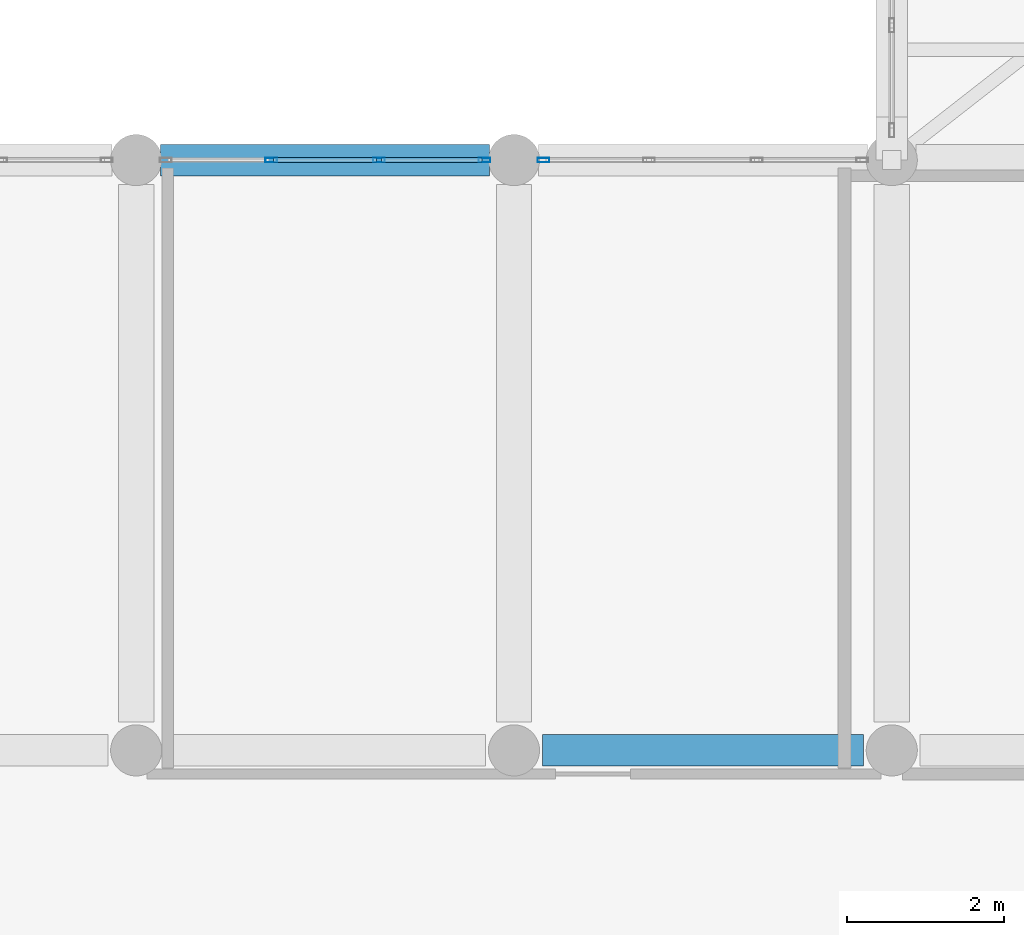
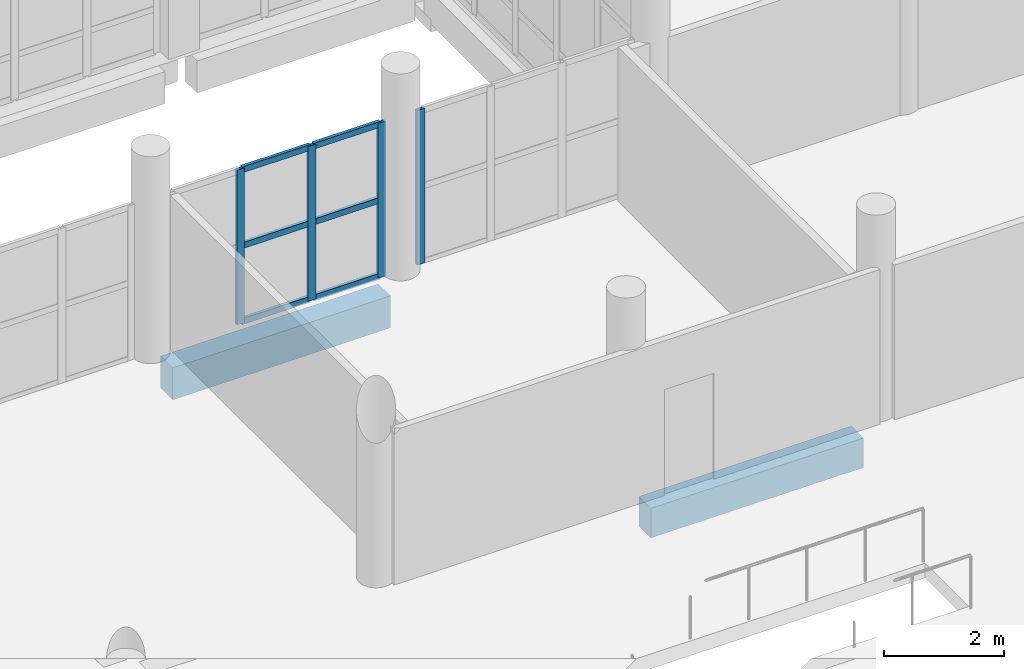
# One storey, part 83 of 164: 10 members, 2 beams, 2 elements without a shape of their own.
"""IFC4 building model written with IfcOpenShell, lengths in metres."""

from ifc_helpers import new_model, si_unit, direction, frame, origin, origin_2d, place, context, subcontext, project, spatial, rectangle, hollow_rectangle, extrude, material, layer, layer_set, material_profile, profile_set, type_object, element, aggregate, save


model = new_model("IFC4")

# Units and contexts
model_context = context("Model", 3, precision=1e-05, world=origin(), true_north=direction((0.0, 1.0)))
body_context = subcontext(model_context, "Body", "Model", "MODEL_VIEW")
ifc_project = project(units=[si_unit("LENGTHUNIT", "METRE"), si_unit("AREAUNIT", "SQUARE_METRE"), si_unit("VOLUMEUNIT", "CUBIC_METRE"), si_unit("PLANEANGLEUNIT", "RADIAN"), si_unit("MASSUNIT", "GRAM", prefix="KILO")], contexts=[model_context])

# Site, building, storey
site_placement = place(None, origin())
site = spatial("IfcSite", under=ifc_project, at=site_placement, CompositionType="ELEMENT")
building_placement = place(site_placement, origin())
building = spatial("IfcBuilding", under=site, at=building_placement, Name="Mawjan Specialist Oncology Clinic", CompositionType="ELEMENT")
storey_placement = place(building_placement, frame((0.0, 0.0, 5.0)))
storey = spatial("IfcBuildingStorey", under=building, at=storey_placement, Name="L01", CompositionType="ELEMENT", Elevation=5.0)

# Beam
ifc_material_1 = material(Name="Concrete C40/50", Category="concrete")
ifc_material_profile_1 = material_profile(ifc_material_1, rectangle(XDim=0.39990234375, YDim=0.60009765625, at=origin_2d()), Name="RC BM 400x600", Category="concrete")
ifc_profile_set_1 = profile_set([ifc_material_profile_1], Name="Concrete C40/50")
beam_type_1 = type_object("IfcBeamType", Name="BM-400x600", PredefinedType="BEAM", material=ifc_profile_set_1)
beam_1_placement = place(storey_placement, frame((79.56005859375, 68.300048828125, -0.60009765625), z_axis=(1.0, 0.0, 0.0), x_axis=(0.0, 1.0, 0.0)))
element("IfcBeam", 1, at=beam_1_placement, inside=storey, type_object=beam_type_1, Name="L01 Collector Beam BM-L01-0313", PredefinedType="BEAM", context=body_context, shape_type="SweptSolid", body=[
    extrude(rectangle(XDim=0.39990234375, YDim=0.60009765625, at=origin_2d()), origin(), (0.0, 0.0, 1.0), 4.079833984375),
])

# Curtain wall, members
ifc_material_2 = material(Name="Unitised spectrally selective aluminium curtain wall", Category="aluminium")
ifc_layer = layer(ifc_material_2, 0.179931640625, Name="Unitised spectrally selective aluminium curtain wall", Category="aluminium")
ifc_layer_set = layer_set([ifc_layer], Name="Unitised spectrally selective aluminium curtain wall")
curtain_wall_type = type_object("IfcCurtainWallType", Name="CW-56", PredefinedType="NOTDEFINED", material=ifc_layer_set)
curtain_wall_1_placement = place(storey_placement, origin())
curtain_wall_1 = element("IfcCurtainWall", 2, at=curtain_wall_1_placement, inside=storey, type_object=curtain_wall_type, Name="L01 Unitised Curtain Wall CW-L01-106", PredefinedType="NOTDEFINED")
ifc_material_3 = material(Name="Thermally broken aluminium 6063-T6", Category="aluminium")
ifc_material_profile_2 = material_profile(ifc_material_3, hollow_rectangle(XDim=0.06005859375, YDim=0.14990234375, WallThickness=0.00390625, at=origin_2d()), Name="ALU MULLION 150x60x4", Category="aluminium")
ifc_profile_set_2 = profile_set([ifc_material_profile_2], Name="Thermally broken aluminium 6063-T6")
member_type_1 = type_object("IfcMemberType", Name="CW-M150", PredefinedType="MULLION", material=ifc_profile_set_2)
member_1_placement = place(storey_placement, frame((76.114990234375, 75.800048828125, 0.0), z_axis=(0.0, 0.0, 1.0), x_axis=(0.0, 1.0, 0.0)))
member_1 = element("IfcMember", 3, at=member_1_placement, type_object=member_type_1, Name="CW-56 mullion 2", PredefinedType="MULLION", context=body_context, shape_type="SweptSolid", body=[
    extrude(hollow_rectangle(XDim=0.06005859375, YDim=0.14990234375, WallThickness=0.00390625, at=origin_2d()), origin(), (0.0, 0.0, 1.0), 3.139892578125),
])
member_2_placement = place(storey_placement, frame((77.485107421875, 75.800048828125, 0.0), z_axis=(0.0, 0.0, 1.0), x_axis=(0.0, 1.0, 0.0)))
member_2 = element("IfcMember", 4, at=member_2_placement, type_object=member_type_1, Name="CW-56 mullion 3", PredefinedType="MULLION", context=body_context, shape_type="SweptSolid", body=[
    extrude(hollow_rectangle(XDim=0.06005859375, YDim=0.14990234375, WallThickness=0.00390625, at=origin_2d()), origin(), (0.0, 0.0, 1.0), 3.139892578125),
])
member_3_placement = place(storey_placement, frame((78.824951171875, 75.800048828125, 0.0), z_axis=(0.0, 0.0, 1.0), x_axis=(0.0, 1.0, 0.0)))
member_3 = element("IfcMember", 5, at=member_3_placement, type_object=member_type_1, Name="CW-56 mullion 4", PredefinedType="MULLION", context=body_context, shape_type="SweptSolid", body=[
    extrude(hollow_rectangle(XDim=0.06005859375, YDim=0.14990234375, WallThickness=0.00390625, at=origin_2d()), origin(), (0.0, 0.0, 1.0), 3.139892578125),
])

# Curtain wall, member
curtain_wall_2_placement = place(storey_placement, origin())
curtain_wall_2 = element("IfcCurtainWall", 6, at=curtain_wall_2_placement, inside=storey, type_object=curtain_wall_type, Name="L01 Unitised Curtain Wall CW-L01-107", PredefinedType="NOTDEFINED")
member_4_placement = place(storey_placement, frame((79.574951171875, 75.800048828125, 0.0), z_axis=(0.0, 0.0, 1.0), x_axis=(0.0, 1.0, 0.0)))
member_4 = element("IfcMember", 7, at=member_4_placement, type_object=member_type_1, Name="CW-56 mullion 1", PredefinedType="MULLION", context=body_context, shape_type="SweptSolid", body=[
    extrude(hollow_rectangle(XDim=0.06005859375, YDim=0.14990234375, WallThickness=0.00390625, at=origin_2d()), origin(), (0.0, 0.0, 1.0), 3.139892578125),
])
aggregate(curtain_wall_2, [member_4])

# Member
ifc_material_4 = material(Name="Thermally broken aluminium 6063-T6", Category="aluminium")
ifc_material_profile_3 = material_profile(ifc_material_4, hollow_rectangle(XDim=0.06005859375, YDim=0.1201171875, WallThickness=0.00390625, at=origin_2d()), Name="ALU TRANSOM 120x60x4", Category="aluminium")
ifc_profile_set_3 = profile_set([ifc_material_profile_3], Name="Thermally broken aluminium 6063-T6")
member_type_2 = type_object("IfcMemberType", Name="CW-T120", PredefinedType="USERDEFINED", material=ifc_profile_set_3)
member_5_placement = place(storey_placement, frame((76.14501953125, 75.800048828125, 0.030029296875), z_axis=(1.0, 0.0, 0.0), x_axis=(0.0, 1.0, 0.0)))
member_5 = element("IfcMember", 8, at=member_5_placement, type_object=member_type_2, Name="CW-56 transom 2.1", ObjectType="TRANSOM", PredefinedType="USERDEFINED", context=body_context, shape_type="SweptSolid", body=[
    extrude(hollow_rectangle(XDim=0.06005859375, YDim=0.1201171875, WallThickness=0.00390625, at=origin_2d()), origin(), (0.0, 0.0, 1.0), 1.31005859375),
])

member_6_placement = place(storey_placement, frame((76.14501953125, 75.800048828125, 1.570068359375), z_axis=(1.0, 0.0, 0.0), x_axis=(0.0, 1.0, 0.0)))
member_6 = element("IfcMember", 9, at=member_6_placement, type_object=member_type_2, Name="CW-56 transom 2.2", ObjectType="TRANSOM", PredefinedType="USERDEFINED", context=body_context, shape_type="SweptSolid", body=[
    extrude(hollow_rectangle(XDim=0.06005859375, YDim=0.1201171875, WallThickness=0.00390625, at=origin_2d()), origin(), (0.0, 0.0, 1.0), 1.31005859375),
])

member_7_placement = place(storey_placement, frame((76.14501953125, 75.800048828125, 3.110107421875), z_axis=(1.0, 0.0, 0.0), x_axis=(0.0, 1.0, 0.0)))
member_7 = element("IfcMember", 10, at=member_7_placement, type_object=member_type_2, Name="CW-56 transom 2.3", ObjectType="TRANSOM", PredefinedType="USERDEFINED", context=body_context, shape_type="SweptSolid", body=[
    extrude(hollow_rectangle(XDim=0.06005859375, YDim=0.1201171875, WallThickness=0.00390625, at=origin_2d()), origin(), (0.0, 0.0, 1.0), 1.31005859375),
])

member_8_placement = place(storey_placement, frame((77.514892578125, 75.800048828125, 0.030029296875), z_axis=(1.0, 0.0, 0.0), x_axis=(0.0, 1.0, 0.0)))
member_8 = element("IfcMember", 11, at=member_8_placement, type_object=member_type_2, Name="CW-56 transom 3.1", ObjectType="TRANSOM", PredefinedType="USERDEFINED", context=body_context, shape_type="SweptSolid", body=[
    extrude(hollow_rectangle(XDim=0.06005859375, YDim=0.1201171875, WallThickness=0.00390625, at=origin_2d()), origin(), (0.0, 0.0, 1.0), 1.280029296875),
])

member_9_placement = place(storey_placement, frame((77.514892578125, 75.800048828125, 1.570068359375), z_axis=(1.0, 0.0, 0.0), x_axis=(0.0, 1.0, 0.0)))
member_9 = element("IfcMember", 12, at=member_9_placement, type_object=member_type_2, Name="CW-56 transom 3.2", ObjectType="TRANSOM", PredefinedType="USERDEFINED", context=body_context, shape_type="SweptSolid", body=[
    extrude(hollow_rectangle(XDim=0.06005859375, YDim=0.1201171875, WallThickness=0.00390625, at=origin_2d()), origin(), (0.0, 0.0, 1.0), 1.280029296875),
])

member_10_placement = place(storey_placement, frame((77.514892578125, 75.800048828125, 3.110107421875), z_axis=(1.0, 0.0, 0.0), x_axis=(0.0, 1.0, 0.0)))
member_10 = element("IfcMember", 13, at=member_10_placement, type_object=member_type_2, Name="CW-56 transom 3.3", ObjectType="TRANSOM", PredefinedType="USERDEFINED", context=body_context, shape_type="SweptSolid", body=[
    extrude(hollow_rectangle(XDim=0.06005859375, YDim=0.1201171875, WallThickness=0.00390625, at=origin_2d()), origin(), (0.0, 0.0, 1.0), 1.280029296875),
])

aggregate(curtain_wall_1, [member_1, member_2, member_3, member_5, member_6, member_7, member_8, member_9, member_10])

# Beam
ifc_material_5 = material(Name="Concrete C45/55", Category="concrete")
ifc_material_profile_4 = material_profile(ifc_material_5, rectangle(XDim=0.39990234375, YDim=0.64990234375, at=origin_2d()), Name="RC BM 400x650", Category="concrete")
ifc_profile_set_4 = profile_set([ifc_material_profile_4], Name="Concrete C45/55")
beam_type_2 = type_object("IfcBeamType", Name="SP-400x650", PredefinedType="SPANDREL", material=ifc_profile_set_4)
beam_2_placement = place(storey_placement, frame((74.7099609375, 75.800048828125, -0.625), z_axis=(1.0, 0.0, 0.0), x_axis=(0.0, 1.0, 0.0)))
element("IfcBeam", 14, at=beam_2_placement, inside=storey, type_object=beam_type_2, Name="L01 Spandrel Beam BM-L01-0328", PredefinedType="SPANDREL", context=body_context, shape_type="SweptSolid", body=[
    extrude(rectangle(XDim=0.39990234375, YDim=0.64990234375, at=origin_2d()), origin(), (0.0, 0.0, 1.0), 4.179931640625),
])

save(model, "model.ifc")
